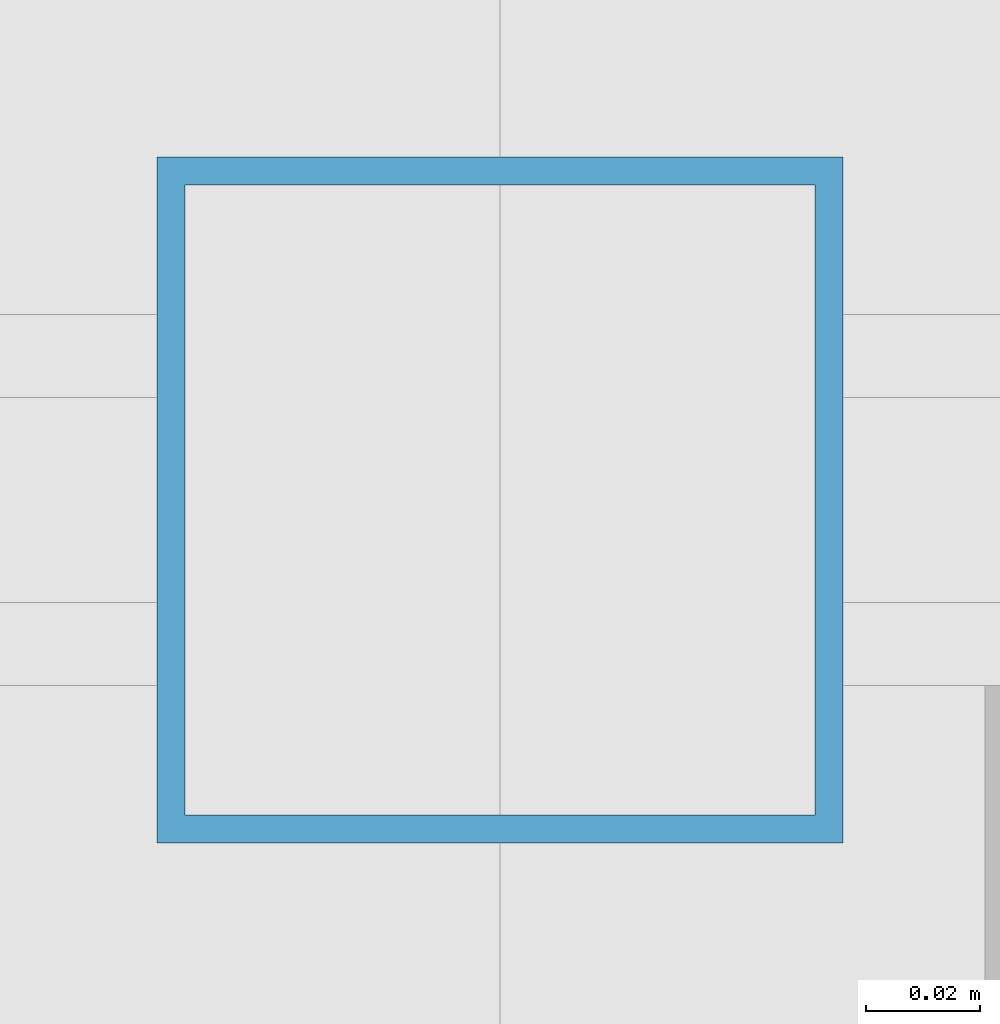
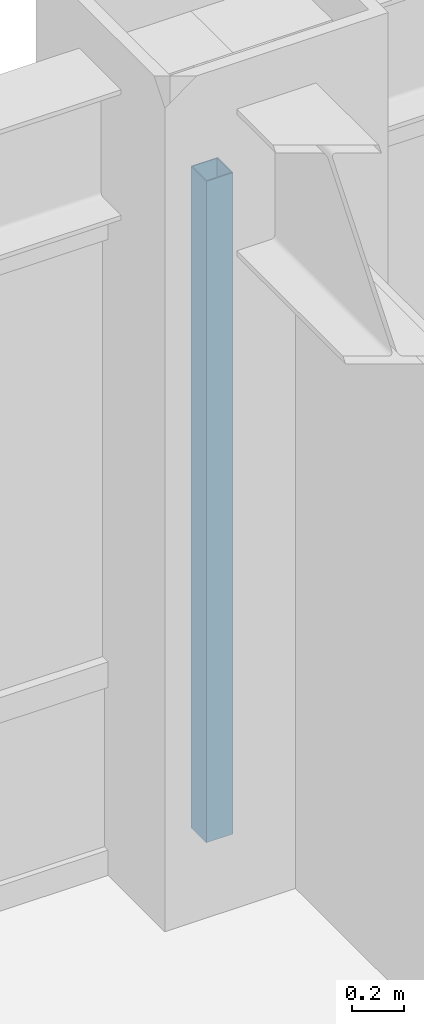
# One storey, part 16 of 25: 1 member, 1 element without a shape of its own.
"""IFC4 building model written with IfcOpenShell, lengths in metres."""

from ifc_helpers import new_model, si_unit, direction, frame, origin, origin_2d, place, context, subcontext, project, spatial, hollow_rectangle, extrude, source, transform, mapped, material, material_profile, profile_set, type_object, element, aggregate, save


model = new_model("IFC4")

# Units and contexts
model_context = context("Model", 3, precision=1e-05, world=origin(), true_north=direction((0.0, 1.0)))
body_context = subcontext(model_context, "Body", "Model", "MODEL_VIEW")
ifc_project = project(units=[si_unit("LENGTHUNIT", "METRE"), si_unit("AREAUNIT", "SQUARE_METRE"), si_unit("VOLUMEUNIT", "CUBIC_METRE"), si_unit("PLANEANGLEUNIT", "RADIAN"), si_unit("MASSUNIT", "GRAM", prefix="KILO")], contexts=[model_context])

# Site, building, storey
site_placement = place(None, origin())
site = spatial("IfcSite", under=ifc_project, at=site_placement, CompositionType="ELEMENT")
building_placement = place(site_placement, origin())
building = spatial("IfcBuilding", under=site, at=building_placement, Name="Khorayat Bourse Tower", CompositionType="ELEMENT")
storey_placement = place(building_placement, frame((0.0, 0.0, 223.10009765625)))
storey = spatial("IfcBuildingStorey", under=building, at=storey_placement, Name="L52", CompositionType="ELEMENT", Elevation=223.10009765625)

# Curtain wall, member
ifc_material = material(Name="Aluminium EN AW-6063 T6", Category="aluminium")
curtain_wall_type = type_object("IfcCurtainWallType", Name="CW-SYS-03", PredefinedType="NOTDEFINED", material=ifc_material)
curtain_wall_placement = place(storey_placement, origin())
curtain_wall = element("IfcCurtainWall", 1, at=curtain_wall_placement, inside=storey, type_object=curtain_wall_type, Name="L52 Curtain Wall CW-L52-N1", PredefinedType="NOTDEFINED")
ifc_material_profile = material_profile(ifc_material, hollow_rectangle(XDim=0.1201171875, YDim=0.1201171875, WallThickness=0.0048828125, at=origin_2d()), Name="ALU 120x120x5")
ifc_profile_set = profile_set([ifc_material_profile], Name="Aluminium EN AW-6063 T6")
member_type = type_object("IfcMemberType", Name="CWM-VERT-120", PredefinedType="MULLION", material=ifc_profile_set)
shared_shape = source(origin(), body_context, "Body", "SweptSolid", [
    extrude(hollow_rectangle(XDim=0.1201171875, YDim=0.1201171875, WallThickness=0.0048828125, at=origin_2d()), origin(), (0.0, 0.0, 1.0), 3.1298828125),
])
member_placement = place(storey_placement, frame((0.0, 30.0, 0.0), z_axis=(0.0, 0.0, 1.0), x_axis=(0.0, 1.0, 0.0)))
member = element("IfcMember", 2, at=member_placement, type_object=member_type, Name="CW-L52-N1 Vertical Mullion 2", PredefinedType="MULLION", context=body_context, shape_type="MappedRepresentation", body=[
    mapped(shared_shape, transform((0.0, 0.0, 0.0), scale=1.0)),
])
aggregate(curtain_wall, [member])

save(model, "model.ifc")
